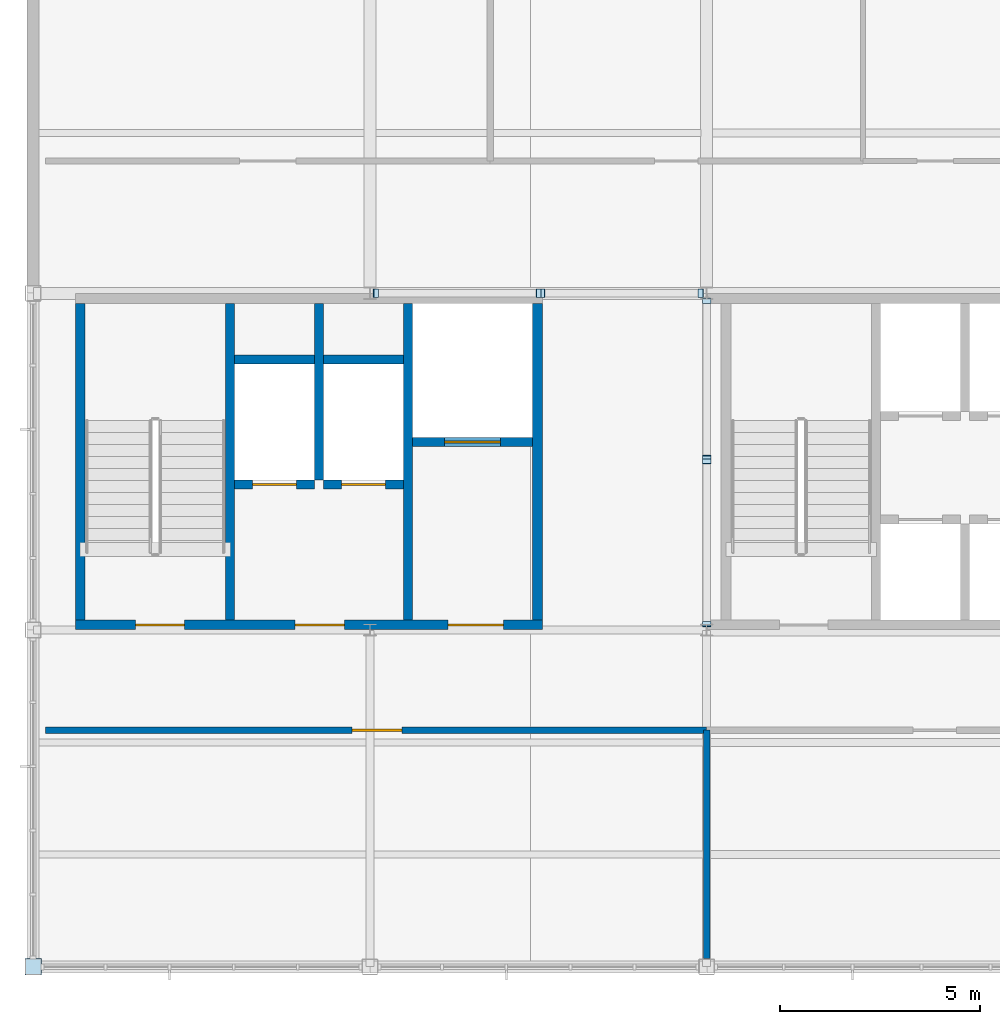
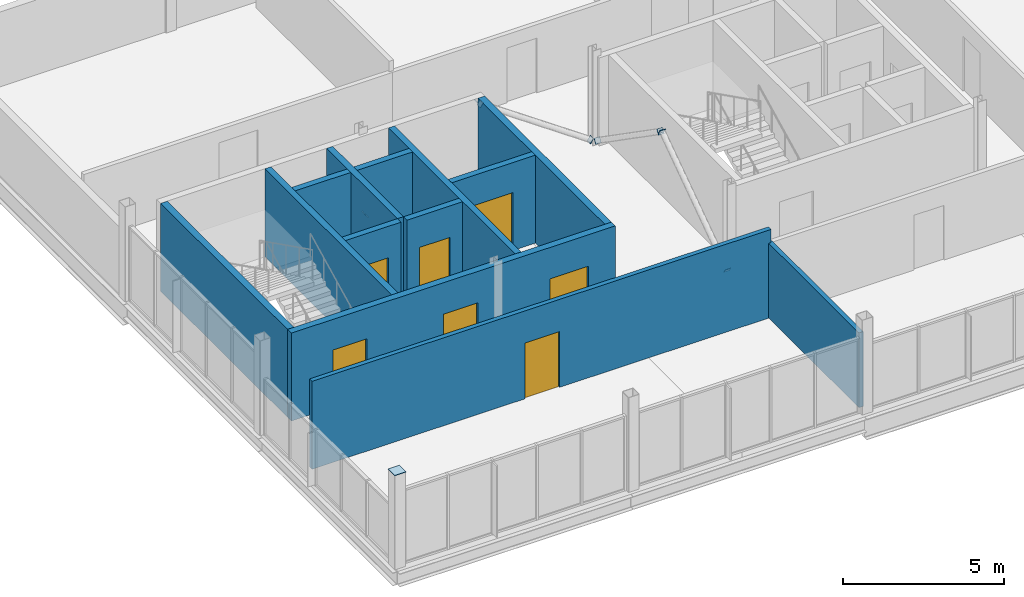
# One storey, part 11 of 15: 13 walls, 9 plates, 7 doors, 7 openings.
"""IFC4 building model written with IfcOpenShell, lengths in metres."""

from ifc_helpers import new_model, si_unit, direction, frame, frame_2d, origin, origin_2d, place, context, subcontext, project, spatial, rectangle, extrude, material, layer, layer_set, type_object, element, fill, save


model = new_model("IFC4")

# Units and contexts
model_context = context("Model", 3, precision=1e-05, world=origin(), true_north=direction((0.0, 1.0)))
body_context = subcontext(model_context, "Body", "Model", "MODEL_VIEW")
ifc_project = project(units=[si_unit("LENGTHUNIT", "METRE"), si_unit("AREAUNIT", "SQUARE_METRE"), si_unit("VOLUMEUNIT", "CUBIC_METRE"), si_unit("PLANEANGLEUNIT", "RADIAN"), si_unit("MASSUNIT", "GRAM", prefix="KILO")], contexts=[model_context])

# Site, building, storey
site_placement = place(None, origin())
site = spatial("IfcSite", under=ifc_project, at=site_placement, CompositionType="ELEMENT")
building_placement = place(site_placement, origin())
building = spatial("IfcBuilding", under=site, at=building_placement, Name="Yukiwa Park Conservatory and Herbarium", CompositionType="ELEMENT")
storey_placement = place(building_placement, frame((0.0, 0.0, 54.0)))
storey = spatial("IfcBuildingStorey", under=building, at=storey_placement, Name="L14", CompositionType="ELEMENT", Elevation=54.0)

# Plates
ifc_material_1 = material(Name="Steel Q355D", Category="steel")
ifc_layer_1 = layer(ifc_material_1, 0.02392578125)
ifc_layer_set_1 = layer_set([ifc_layer_1], Name="Steel Q355D")
plate_type_1 = type_object("IfcPlateType", Name="PL-CAP-24", PredefinedType="USERDEFINED", material=ifc_layer_set_1)
plate_placement = place(storey_placement, frame((133.199951171875, 86.39990234375, 3.575927734375), z_axis=(0.0, 0.0, 1.0), x_axis=(1.0, 0.0, 0.0)))
element("IfcPlate", 1, at=plate_placement, inside=storey, type_object=plate_type_1, Name="Hollow section end cap plate CAP-COL-L14-V5-X1332-Y864", ObjectType="END CAP PLATE", PredefinedType="USERDEFINED", context=body_context, shape_type="SweptSolid", body=[
    extrude(rectangle(XDim=0.407958984375, YDim=0.407958984375, at=origin_2d()), origin(), (0.0, 0.0, 1.0), 0.024169921875),
])
ifc_material_2 = material(Name="Steel Q355D", Category="steel")
ifc_layer_2 = layer(ifc_material_2, 0.02392578125)
ifc_layer_set_2 = layer_set([ifc_layer_2], Name="Steel Q355D")
plate_type_2 = type_object("IfcPlateType", Name="PL-CAP-24-INT", PredefinedType="USERDEFINED", material=ifc_layer_set_2)
for number, where, z_axis, x_axis, name in (
    (2, (141.755859375, 103.199951171875, 0.158203125), (-0.819231920519, 0.0, -0.573462344363), (0.0, -1.0, 0.0), "Hollow section end cap plate CAP-BR-L14-069A"),
    (3, (145.79345703125, 103.199951171875, 2.96435546875), (0.822557603224, 0.0, 0.56868179976), (0.0, 1.0, 0.0), "Hollow section end cap plate CAP-BR-L14-069B"),
    (4, (149.843994140625, 103.199951171875, 0.158203125), (0.822557603224, 0.0, -0.56868179976), (0.0, 1.0, 0.0), "Hollow section end cap plate CAP-BR-L14-070A"),
    (5, (145.9091796875, 103.199951171875, 2.89306640625), (-0.819231920519, 0.0, 0.573462344363), (0.0, -1.0, 0.0), "Hollow section end cap plate CAP-BR-L14-070B"),
    (6, (150.0, 94.951904296875, 0.155517578125), (0.0, -0.822557603224, -0.56868179976), (1.0, 0.0, 0.0), "Hollow section end cap plate CAP-BR-L14-071A"),
    (7, (150.0, 98.993408203125, 2.96435546875), (0.0, 0.822557603224, 0.56868179976), (-1.0, 0.0, 0.0), "Hollow section end cap plate CAP-BR-L14-071B"),
    (8, (150.0, 103.003662109375, 0.186279296875), (0.0, 0.822557603224, -0.56868179976), (-1.0, 0.0, 0.0), "Hollow section end cap plate CAP-BR-L14-072A"),
    (9, (150.0, 99.109375, 2.89306640625), (0.0, -0.822557603224, 0.56868179976), (1.0, 0.0, 0.0), "Hollow section end cap plate CAP-BR-L14-072B"),
):
    element("IfcPlate", number, at=place(storey_placement, frame(where, z_axis=z_axis, x_axis=x_axis)), inside=storey, type_object=plate_type_2, Name=name, ObjectType="END CAP PLATE", PredefinedType="USERDEFINED", context=body_context, shape_type="SweptSolid", body=[
        extrude(rectangle(XDim=0.20166015625, YDim=0.20166015625, at=origin_2d()), origin(), (0.0, 0.0, 1.0), 0.02392578125),
    ])

# Walls
ifc_material_3 = material(Name="Concrete C40", Category="concrete")
ifc_layer_3 = layer(ifc_material_3, 0.219970703125)
ifc_layer_set_3 = layer_set([ifc_layer_3], Name="Concrete C40")
wall_type_1 = type_object("IfcWallType", Name="WL-CORE-RC220", PredefinedType="SHEAR", material=ifc_layer_set_3)
wall_1_placement = place(storey_placement, frame((138.110107421875, 95.050048828125, 0.0), z_axis=(0.0, 0.0, 1.0), x_axis=(0.0, 1.0, 0.0)))
element("IfcWall", 10, at=wall_1_placement, inside=storey, type_object=wall_type_1, Name="L14 core shear wall 786", PredefinedType="SHEAR", context=body_context, shape_type="SweptSolid", body=[
    extrude(rectangle(XDim=7.89990234375, YDim=0.219970703125, at=frame_2d((3.949951171875, 0.0))), origin(), (0.0, 0.0, 1.0), 3.343994140625),
])
wall_2_placement = place(storey_placement, frame((140.330078125, 98.5400390625, 0.0), z_axis=(0.0, 0.0, 1.0), x_axis=(0.0, 1.0, 0.0)))
element("IfcWall", 11, at=wall_2_placement, inside=storey, type_object=wall_type_1, Name="L14 core shear wall 787", PredefinedType="SHEAR", context=body_context, shape_type="SweptSolid", body=[
    extrude(rectangle(XDim=4.409912109375, YDim=0.219970703125, at=frame_2d((2.205078125, 0.0))), origin(), (0.0, 0.0, 1.0), 3.343994140625),
])
wall_3_placement = place(storey_placement, frame((142.550048828125, 95.050048828125, 0.0), z_axis=(0.0, 0.0, 1.0), x_axis=(0.0, 1.0, 0.0)))
element("IfcWall", 12, at=wall_3_placement, inside=storey, type_object=wall_type_1, Name="L14 core shear wall 788", PredefinedType="SHEAR", context=body_context, shape_type="SweptSolid", body=[
    extrude(rectangle(XDim=7.89990234375, YDim=0.219970703125, at=frame_2d((3.949951171875, 0.0))), origin(), (0.0, 0.0, 1.0), 3.343994140625),
])

# Wall, opening, door
wall_4_placement = place(storey_placement, frame((138.219970703125, 98.429931640625, 0.0), z_axis=(0.0, 0.0, 1.0), x_axis=(1.0, 0.0, 0.0)))
wall_4 = element("IfcWall", 13, at=wall_4_placement, inside=storey, type_object=wall_type_1, Name="L14 core shear wall 790", PredefinedType="SHEAR", context=body_context, shape_type="SweptSolid", body=[
    extrude(rectangle(XDim=2.0, YDim=0.219970703125, at=frame_2d((1.0, 0.0))), origin(), (0.0, 0.0, 1.0), 3.343994140625),
])
opening_1_placement = place(wall_4_placement, frame((0.449951171875, 0.0, 0.0)))
opening_1 = element("IfcOpeningElement", 14, at=opening_1_placement, cuts=wall_4, Name="Opening LD-01", PredefinedType="OPENING", context=body_context, shape_type="SweptSolid", body=[
    extrude(rectangle(XDim=1.10009765625, YDim=2.14990234375, at=frame_2d((0.550048828125, 1.074951171875))), frame((0.0, 0.1201171875, 0.0), z_axis=(0.0, -1.0, 0.0), x_axis=(1.0, 0.0, 0.0)), (0.0, 0.0, 1.0), 0.239990234375),
])
ifc_material_4 = material(Name="Steel Q235B", Category="steel")
door_type_1 = type_object("IfcDoorType", Name="DR-LIFT-LD1100", OperationType="SLIDING_TO_LEFT", PredefinedType="DOOR", material=ifc_material_4)
door_1_placement = place(opening_1_placement, origin())
door_1 = element("IfcDoor", 15, at=door_1_placement, inside=storey, type_object=door_type_1, Name="L14 Firefighting Lift FL1 sliding landing door", OperationType="SLIDING_TO_LEFT", OverallHeight=2.14990234375, OverallWidth=1.10009765625, PredefinedType="DOOR", context=body_context, shape_type="SweptSolid", body=[
    extrude(rectangle(XDim=1.10009765625, YDim=2.14990234375, at=frame_2d((0.550048828125, 1.074951171875))), frame((0.0, 0.02490234375, 0.0), z_axis=(0.0, -1.0, 0.0), x_axis=(1.0, 0.0, 0.0)), (0.0, 0.0, 1.0), 0.050048828125),
])
fill(opening_1, door_1)

wall_5_placement = place(storey_placement, frame((140.43994140625, 98.429931640625, 0.0), z_axis=(0.0, 0.0, 1.0), x_axis=(1.0, 0.0, 0.0)))
wall_5 = element("IfcWall", 16, at=wall_5_placement, inside=storey, type_object=wall_type_1, Name="L14 core shear wall 791", PredefinedType="SHEAR", context=body_context, shape_type="SweptSolid", body=[
    extrude(rectangle(XDim=2.0, YDim=0.219970703125, at=frame_2d((1.0, 0.0))), origin(), (0.0, 0.0, 1.0), 3.343994140625),
])
opening_2_placement = place(wall_5_placement, frame((0.449951171875, 0.0, 0.0)))
opening_2 = element("IfcOpeningElement", 17, at=opening_2_placement, cuts=wall_5, Name="Opening LD-01", PredefinedType="OPENING", context=body_context, shape_type="SweptSolid", body=[
    extrude(rectangle(XDim=1.10009765625, YDim=2.14990234375, at=frame_2d((0.550048828125, 1.074951171875))), frame((0.0, 0.1201171875, 0.0), z_axis=(0.0, -1.0, 0.0), x_axis=(1.0, 0.0, 0.0)), (0.0, 0.0, 1.0), 0.239990234375),
])
door_2_placement = place(opening_2_placement, origin())
door_2 = element("IfcDoor", 18, at=door_2_placement, inside=storey, type_object=door_type_1, Name="L14 Firefighting Lift FL2 sliding landing door", OperationType="SLIDING_TO_LEFT", OverallHeight=2.14990234375, OverallWidth=1.10009765625, PredefinedType="DOOR", context=body_context, shape_type="SweptSolid", body=[
    extrude(rectangle(XDim=1.10009765625, YDim=2.14990234375, at=frame_2d((0.550048828125, 1.074951171875))), frame((0.0, 0.02490234375, 0.0), z_axis=(0.0, -1.0, 0.0), x_axis=(1.0, 0.0, 0.0)), (0.0, 0.0, 1.0), 0.050048828125),
])
fill(opening_2, door_2)

# Walls
for number, where, z_axis, x_axis, name in (
    (19, (138.219970703125, 101.550048828125, 0.0), (0.0, 0.0, 1.0), (1.0, 0.0, 0.0), "L14 core shear wall 792"),
    (20, (140.43994140625, 101.550048828125, 0.0), (0.0, 0.0, 1.0), (1.0, 0.0, 0.0), "L14 core shear wall 793"),
):
    element("IfcWall", number, at=place(storey_placement, frame(where, z_axis=z_axis, x_axis=x_axis)), inside=storey, type_object=wall_type_1, Name=name, PredefinedType="SHEAR", context=body_context, shape_type="SweptSolid", body=[
        extrude(rectangle(XDim=2.0, YDim=0.219970703125, at=frame_2d((1.0, 0.0))), origin(), (0.0, 0.0, 1.0), 3.343994140625),
    ])

# Wall, opening, door
wall_6_placement = place(storey_placement, frame((142.659912109375, 99.489990234375, 0.0), z_axis=(0.0, 0.0, 1.0), x_axis=(1.0, 0.0, 0.0)))
wall_6 = element("IfcWall", 21, at=wall_6_placement, inside=storey, type_object=wall_type_1, Name="L14 core shear wall 794", PredefinedType="SHEAR", context=body_context, shape_type="SweptSolid", body=[
    extrude(rectangle(XDim=3.0, YDim=0.219970703125, at=frame_2d((1.5, 0.0))), origin(), (0.0, 0.0, 1.0), 3.343994140625),
])
opening_3_placement = place(wall_6_placement, frame((0.800048828125, 0.0, 0.0)))
opening_3 = element("IfcOpeningElement", 22, at=opening_3_placement, cuts=wall_6, Name="Opening LD-02", PredefinedType="OPENING", context=body_context, shape_type="SweptSolid", body=[
    extrude(rectangle(XDim=1.39990234375, YDim=2.199951171875, at=frame_2d((0.699951171875, 1.10009765625))), frame((0.0, 0.1201171875, 0.0), z_axis=(0.0, -1.0, 0.0), x_axis=(1.0, 0.0, 0.0)), (0.0, 0.0, 1.0), 0.239990234375),
])
ifc_material_5 = material(Name="Steel Q235B", Category="steel")
door_type_2 = type_object("IfcDoorType", Name="DR-LIFT-LD1400", OperationType="SLIDING_TO_LEFT", PredefinedType="DOOR", material=ifc_material_5)
door_3_placement = place(opening_3_placement, origin())
door_3 = element("IfcDoor", 23, at=door_3_placement, inside=storey, type_object=door_type_2, Name="L14 Goods Lift GL1 sliding landing door", OperationType="SLIDING_TO_LEFT", OverallHeight=2.199951171875, OverallWidth=1.39990234375, PredefinedType="DOOR", context=body_context, shape_type="SweptSolid", body=[
    extrude(rectangle(XDim=1.39990234375, YDim=2.199951171875, at=frame_2d((0.699951171875, 1.10009765625))), frame((0.0, 0.02490234375, 0.0), z_axis=(0.0, -1.0, 0.0), x_axis=(1.0, 0.0, 0.0)), (0.0, 0.0, 1.0), 0.050048828125),
])
fill(opening_3, door_3)

# Wall, openings, doors
ifc_material_6 = material(Name="Concrete C50", Category="concrete")
ifc_layer_4 = layer(ifc_material_6, 0.239990234375)
ifc_layer_set_4 = layer_set([ifc_layer_4], Name="Concrete C50")
wall_type_2 = type_object("IfcWallType", Name="WL-CORE-RC240", PredefinedType="SHEAR", material=ifc_layer_set_4)
wall_7_placement = place(storey_placement, frame((134.25, 94.929931640625, 0.0), z_axis=(0.0, 0.0, 1.0), x_axis=(1.0, 0.0, 0.0)))
wall_7 = element("IfcWall", 24, at=wall_7_placement, inside=storey, type_object=wall_type_2, Name="L14 core shear wall 783", PredefinedType="SHEAR", context=body_context, shape_type="SweptSolid", body=[
    extrude(rectangle(XDim=11.64990234375, YDim=0.239990234375, at=frame_2d((5.824951171875, 0.0))), origin(), (0.0, 0.0, 1.0), 3.343994140625),
])
opening_4_placement = place(wall_7_placement, frame((1.5, 0.0, 0.0)))
opening_4 = element("IfcOpeningElement", 25, at=opening_4_placement, cuts=wall_7, Name="Opening SD-01", PredefinedType="OPENING", context=body_context, shape_type="SweptSolid", body=[
    extrude(rectangle(XDim=1.219970703125, YDim=2.179931640625, at=frame_2d((0.60986328125, 1.08984375))), frame((0.0, 0.1298828125, 0.0), z_axis=(0.0, -1.0, 0.0), x_axis=(1.0, 0.0, 0.0)), (0.0, 0.0, 1.0), 0.260009765625),
])
opening_5_placement = place(wall_7_placement, frame((5.47998046875, 0.0, 0.0)))
opening_5 = element("IfcOpeningElement", 26, at=opening_5_placement, cuts=wall_7, Name="Opening FD-02", PredefinedType="OPENING", context=body_context, shape_type="SweptSolid", body=[
    extrude(rectangle(XDim=1.239990234375, YDim=2.14990234375, at=frame_2d((0.6201171875, 1.074951171875))), frame((0.0, 0.1298828125, 0.0), z_axis=(0.0, -1.0, 0.0), x_axis=(1.0, 0.0, 0.0)), (0.0, 0.0, 1.0), 0.260009765625),
])
opening_6_placement = place(wall_7_placement, frame((9.300048828125, 0.0, 0.0)))
opening_6 = element("IfcOpeningElement", 27, at=opening_6_placement, cuts=wall_7, Name="Opening FD-06", PredefinedType="OPENING", context=body_context, shape_type="SweptSolid", body=[
    extrude(rectangle(XDim=1.3798828125, YDim=2.14990234375, at=frame_2d((0.68994140625, 1.074951171875))), frame((0.0, 0.1298828125, 0.0), z_axis=(0.0, -1.0, 0.0), x_axis=(1.0, 0.0, 0.0)), (0.0, 0.0, 1.0), 0.260009765625),
])
ifc_material_7 = material(Name="Steel Q235B", Category="steel")
door_type_3 = type_object("IfcDoorType", Name="DR-FIRE-FD60-1400", OperationType="DOUBLE_DOOR_SINGLE_SWING", PredefinedType="DOOR", material=ifc_material_7)
door_4_placement = place(opening_6_placement, frame((1.3798828125, 0.0, 0.0), z_axis=(0.0, 0.0, 1.0), x_axis=(-1.0, 0.0, 0.0)))
door_4 = element("IfcDoor", 28, at=door_4_placement, inside=storey, type_object=door_type_3, Name="L14 Goods Lift Lobby double fire door", OperationType="DOUBLE_DOOR_SINGLE_SWING", OverallHeight=2.14990234375, OverallWidth=1.3798828125, PredefinedType="DOOR", context=body_context, shape_type="SweptSolid", body=[
    extrude(rectangle(XDim=1.3798828125, YDim=2.14990234375, at=frame_2d((0.68994140625, 1.074951171875))), frame((0.0, 0.02490234375, 0.0), z_axis=(0.0, -1.0, 0.0), x_axis=(1.0, 0.0, 0.0)), (0.0, 0.0, 1.0), 0.050048828125),
])
fill(opening_6, door_4)
ifc_material_8 = material(Name="Steel Q235B", Category="steel")
door_type_4 = type_object("IfcDoorType", Name="DR-FIRE-FD90-1200", OperationType="SINGLE_SWING_RIGHT", PredefinedType="DOOR", material=ifc_material_8)
door_5_placement = place(opening_5_placement, frame((1.239990234375, 0.0, 0.0), z_axis=(0.0, 0.0, 1.0), x_axis=(-1.0, 0.0, 0.0)))
door_5 = element("IfcDoor", 29, at=door_5_placement, inside=storey, type_object=door_type_4, Name="L14 Firefighting Lift Lobby fire door", OperationType="SINGLE_SWING_RIGHT", OverallHeight=2.14990234375, OverallWidth=1.239990234375, PredefinedType="DOOR", context=body_context, shape_type="SweptSolid", body=[
    extrude(rectangle(XDim=1.239990234375, YDim=2.14990234375, at=frame_2d((0.6201171875, 1.074951171875))), frame((0.0, 0.02490234375, 0.0), z_axis=(0.0, -1.0, 0.0), x_axis=(1.0, 0.0, 0.0)), (0.0, 0.0, 1.0), 0.050048828125),
])
fill(opening_5, door_5)
ifc_material_9 = material(Name="Steel Q235B", Category="steel")
door_type_5 = type_object("IfcDoorType", Name="DR-STAIR-FD90-1200", OperationType="SINGLE_SWING_LEFT", PredefinedType="DOOR", material=ifc_material_9)
door_6_placement = place(opening_4_placement, origin())
door_6 = element("IfcDoor", 30, at=door_6_placement, inside=storey, type_object=door_type_5, Name="L14 Stairwell ST-T1 fire door", OperationType="SINGLE_SWING_LEFT", OverallHeight=2.179931640625, OverallWidth=1.219970703125, PredefinedType="DOOR", context=body_context, shape_type="SweptSolid", body=[
    extrude(rectangle(XDim=1.219970703125, YDim=2.179931640625, at=frame_2d((0.60986328125, 1.08984375))), frame((0.0, 0.02490234375, 0.0), z_axis=(0.0, -1.0, 0.0), x_axis=(1.0, 0.0, 0.0)), (0.0, 0.0, 1.0), 0.050048828125),
])
fill(opening_4, door_6)

# Walls
for number, where, z_axis, x_axis, name in (
    (31, (134.3701171875, 95.050048828125, 0.0), (0.0, 0.0, 1.0), (0.0, 1.0, 0.0), "L14 core shear wall 785"),
    (32, (145.780029296875, 95.050048828125, 0.0), (0.0, 0.0, 1.0), (0.0, 1.0, 0.0), "L14 core shear wall 789"),
):
    element("IfcWall", number, at=place(storey_placement, frame(where, z_axis=z_axis, x_axis=x_axis)), inside=storey, type_object=wall_type_2, Name=name, PredefinedType="SHEAR", context=body_context, shape_type="SweptSolid", body=[
        extrude(rectangle(XDim=7.89990234375, YDim=0.239990234375, at=frame_2d((3.949951171875, 0.0))), origin(), (0.0, 0.0, 1.0), 3.343994140625),
    ])

# Wall, opening, door
ifc_material_10 = material(Name="Gypsum Board Partition", Category="gypsum")
ifc_layer_5 = layer(ifc_material_10, 0.159912109375)
ifc_layer_set_5 = layer_set([ifc_layer_5], Name="Gypsum Board Partition")
wall_type_3 = type_object("IfcWallType", Name="WL-PART-GYP-160", PredefinedType="PARTITIONING", material=ifc_layer_set_5)
wall_8_placement = place(storey_placement, frame((133.5, 92.300048828125, 0.0), z_axis=(0.0, 0.0, 1.0), x_axis=(1.0, 0.0, 0.0)))
wall_8 = element("IfcWall", 33, at=wall_8_placement, inside=storey, type_object=wall_type_3, Name="L14 interior partition wall 817", PredefinedType="PARTITIONING", context=body_context, shape_type="SweptSolid", body=[
    extrude(rectangle(XDim=16.5, YDim=0.159912109375, at=frame_2d((8.25, 0.0))), origin(), (0.0, 0.0, 1.0), 3.343994140625),
])
opening_7_placement = place(wall_8_placement, frame((7.64990234375, 0.0, 0.0)))
opening_7 = element("IfcOpeningElement", 34, at=opening_7_placement, cuts=wall_8, Name="Opening LD-12", PredefinedType="OPENING", context=body_context, shape_type="SweptSolid", body=[
    extrude(rectangle(XDim=1.25, YDim=2.1201171875, at=frame_2d((0.625, 1.06005859375))), frame((0.0, 0.08984375, 0.0), z_axis=(0.0, -1.0, 0.0), x_axis=(1.0, 0.0, 0.0)), (0.0, 0.0, 1.0), 0.179931640625),
])
ifc_material_11 = material(Name="Steel Q235B", Category="steel")
door_type_6 = type_object("IfcDoorType", Name="DR-LAB-1200", OperationType="SINGLE_SWING_LEFT", PredefinedType="DOOR", material=ifc_material_11)
door_7_placement = place(opening_7_placement, origin())
door_7 = element("IfcDoor", 35, at=door_7_placement, inside=storey, type_object=door_type_6, Name="L14 Alpine Phenology Lab door", OperationType="SINGLE_SWING_LEFT", OverallHeight=2.1201171875, OverallWidth=1.25, PredefinedType="DOOR", context=body_context, shape_type="SweptSolid", body=[
    extrude(rectangle(XDim=1.25, YDim=2.1201171875, at=frame_2d((0.625, 1.06005859375))), frame((0.0, 0.02490234375, 0.0), z_axis=(0.0, -1.0, 0.0), x_axis=(1.0, 0.0, 0.0)), (0.0, 0.0, 1.0), 0.050048828125),
])
fill(opening_7, door_7)

# Wall
wall_9_placement = place(storey_placement, frame((150.0, 86.60009765625, 0.0), z_axis=(0.0, 0.0, 1.0), x_axis=(0.0, 1.0, 0.0)))
element("IfcWall", 36, at=wall_9_placement, inside=storey, type_object=wall_type_3, Name="L14 interior partition wall 819", PredefinedType="PARTITIONING", context=body_context, shape_type="SweptSolid", body=[
    extrude(rectangle(XDim=5.699951171875, YDim=0.159912109375, at=frame_2d((2.85009765625, 0.0))), origin(), (0.0, 0.0, 1.0), 2.843994140625),
])

save(model, "model.ifc")
